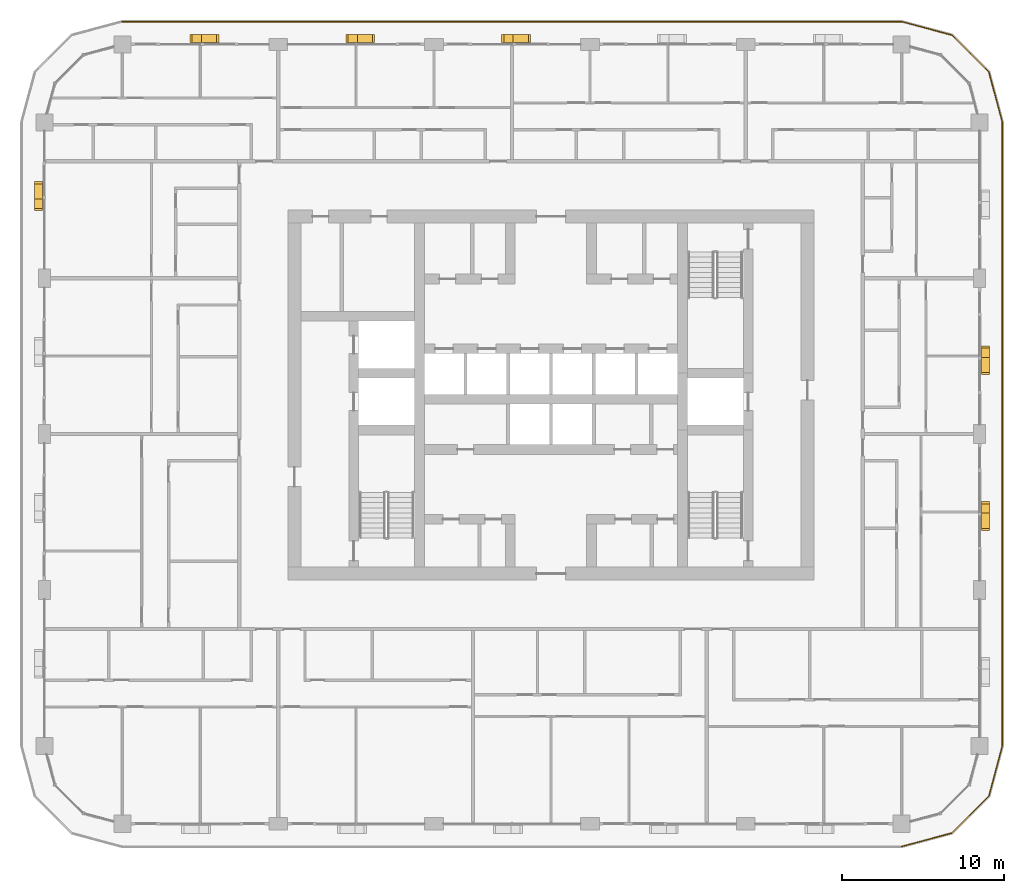
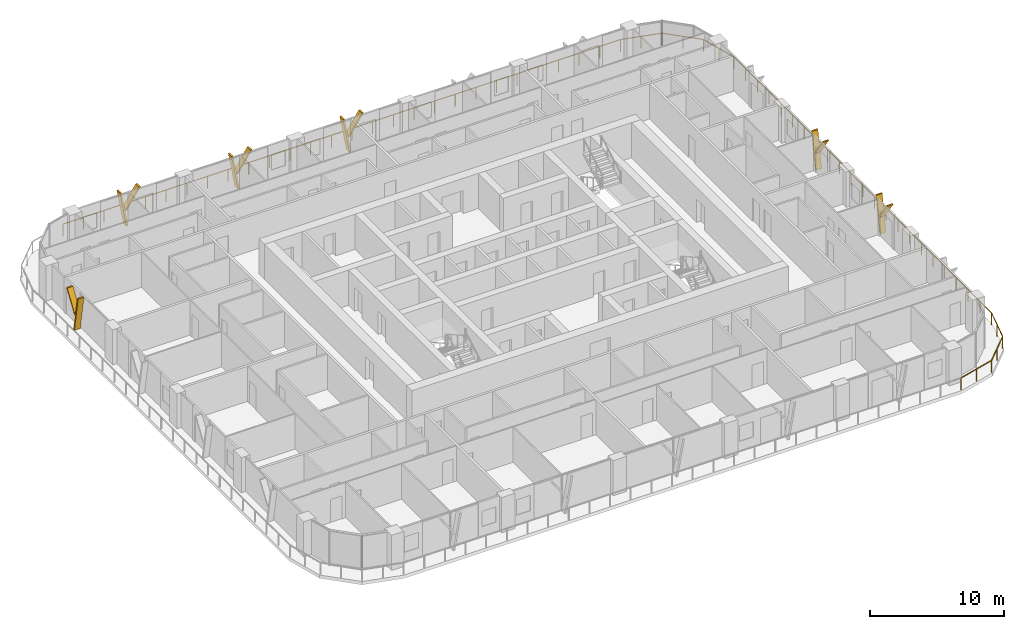
# One storey, part 21 of 22: 12 shading devices, 1 railing.
"""IFC4 building model written with IfcOpenShell, lengths in metres."""

from ifc_helpers import new_model, si_unit, direction, frame, origin, origin_2d, place, context, subcontext, project, spatial, polyline, circle, outline, extrude, material, type_object, element, save


model = new_model("IFC4")

# Units and contexts
model_context = context("Model", 3, precision=1e-05, world=origin(), true_north=direction((0.0, 1.0)))
body_context = subcontext(model_context, "Body", "Model", "MODEL_VIEW")
ifc_project = project(units=[si_unit("LENGTHUNIT", "METRE"), si_unit("AREAUNIT", "SQUARE_METRE"), si_unit("VOLUMEUNIT", "CUBIC_METRE"), si_unit("PLANEANGLEUNIT", "RADIAN"), si_unit("MASSUNIT", "GRAM", prefix="KILO")], contexts=[model_context])

# Site, building, storey
site_placement = place(None, origin())
site = spatial("IfcSite", under=ifc_project, at=site_placement, CompositionType="ELEMENT")
building_placement = place(site_placement, origin())
building = spatial("IfcBuilding", under=site, at=building_placement, Name="Madar Terraces", CompositionType="ELEMENT")
storey_placement = place(building_placement, frame((0.0, 0.0, 149.0)))
storey = spatial("IfcBuildingStorey", under=building, at=storey_placement, Name="L38", CompositionType="ELEMENT", Elevation=149.0)

# Railing
ifc_material_1 = material(Name="Glass, safety glazing, with stainless steel posts", Category="steel")
railing_type = type_object("IfcRailingType", Name="Balcony glass guard 1100", PredefinedType="GUARDRAIL", material=ifc_material_1)
railing_placement = place(storey_placement, frame((52.800048828125, -1.39990234375, 0.0)))
element("IfcRailing", 1, at=railing_placement, inside=storey, type_object=railing_type, Name="Balcony guard", PredefinedType="GUARDRAIL", context=body_context, shape_type="SweptSolid", body=[
    extrude(circle(Radius=0.02392578125, at=origin_2d()), frame((0.0, 0.0, 1.076171875), z_axis=(0.965928696102, 0.258808334578, 0.0), x_axis=(-0.258808334578, 0.965928696102, 0.0)), (0.0, 0.0, 1.0), 3.209228515625),
    extrude(circle(Radius=0.02392578125, at=origin_2d()), frame((3.099853515625, 0.83056640625, 1.076171875), z_axis=(0.707144815061, 0.707068745266, 0.0), x_axis=(-0.707068745266, 0.707144815061, 0.0)), (0.0, 0.0, 1.0), 3.20947265625),
    extrude(circle(Radius=0.02392578125, at=origin_2d()), frame((5.369384765625, 3.099853515625, 1.076171875), z_axis=(0.258789317819, 0.9659337912, 0.0), x_axis=(-0.9659337912, 0.258789317819, 0.0)), (0.0, 0.0, 1.0), 3.20947265625),
    extrude(circle(Radius=0.02392578125, at=origin_2d()), frame((6.199951171875, 6.199951171875, 1.076171875), z_axis=(0.0, 1.0, 0.0), x_axis=(-1.0, 0.0, 0.0)), (0.0, 0.0, 1.0), 38.39990234375),
    extrude(circle(Radius=0.02392578125, at=origin_2d()), frame((6.199951171875, 44.599853515625, 1.076171875), z_axis=(-0.258789317819, 0.9659337912, 0.0), x_axis=(-0.9659337912, -0.258789317819, 0.0)), (0.0, 0.0, 1.0), 3.20947265625),
    extrude(circle(Radius=0.02392578125, at=origin_2d()), frame((5.369384765625, 47.699951171875, 1.076171875), z_axis=(-0.707144815061, 0.707068745266, 0.0), x_axis=(-0.707068745266, -0.707144815061, 0.0)), (0.0, 0.0, 1.0), 3.20947265625),
    extrude(circle(Radius=0.02392578125, at=origin_2d()), frame((3.099853515625, 49.96923828125, 1.076171875), z_axis=(-0.965928696102, 0.258808334578, 0.0), x_axis=(-0.258808334578, -0.965928696102, 0.0)), (0.0, 0.0, 1.0), 3.209228515625),
    extrude(circle(Radius=0.02392578125, at=origin_2d()), frame((0.0, 50.7998046875, 1.076171875), z_axis=(-1.0, 0.0, 0.0), x_axis=(0.0, -1.0, 0.0)), (0.0, 0.0, 1.0), 48.0),
    extrude(circle(Radius=0.02099609375, at=origin_2d()), origin(), (0.0, 0.0, 1.0), 1.052001953125),
    extrude(circle(Radius=0.02099609375, at=origin_2d()), frame((1.5498046875, 0.415283203125, 0.0)), (0.0, 0.0, 1.0), 1.052001953125),
    extrude(circle(Radius=0.02099609375, at=origin_2d()), frame((3.099853515625, 0.83056640625, 0.0)), (0.0, 0.0, 1.0), 1.052001953125),
    extrude(circle(Radius=0.02099609375, at=origin_2d()), frame((4.234619140625, 1.96533203125, 0.0)), (0.0, 0.0, 1.0), 1.052001953125),
    extrude(circle(Radius=0.02099609375, at=origin_2d()), frame((5.369384765625, 3.099853515625, 0.0)), (0.0, 0.0, 1.0), 1.052001953125),
    extrude(circle(Radius=0.02099609375, at=origin_2d()), frame((5.78466796875, 4.64990234375, 0.0)), (0.0, 0.0, 1.0), 1.052001953125),
    extrude(circle(Radius=0.02099609375, at=origin_2d()), frame((6.199951171875, 6.199951171875, 0.0)), (0.0, 0.0, 1.0), 1.052001953125),
    extrude(circle(Radius=0.02099609375, at=origin_2d()), frame((6.199951171875, 7.9453125, 0.0)), (0.0, 0.0, 1.0), 1.052001953125),
    extrude(circle(Radius=0.02099609375, at=origin_2d()), frame((6.199951171875, 9.69091796875, 0.0)), (0.0, 0.0, 1.0), 1.052001953125),
    extrude(circle(Radius=0.02099609375, at=origin_2d()), frame((6.199951171875, 11.436279296875, 0.0)), (0.0, 0.0, 1.0), 1.052001953125),
    extrude(circle(Radius=0.02099609375, at=origin_2d()), frame((6.199951171875, 13.181640625, 0.0)), (0.0, 0.0, 1.0), 1.052001953125),
    extrude(circle(Radius=0.02099609375, at=origin_2d()), frame((6.199951171875, 14.92724609375, 0.0)), (0.0, 0.0, 1.0), 1.052001953125),
    extrude(circle(Radius=0.02099609375, at=origin_2d()), frame((6.199951171875, 16.672607421875, 0.0)), (0.0, 0.0, 1.0), 1.052001953125),
    extrude(circle(Radius=0.02099609375, at=origin_2d()), frame((6.199951171875, 18.418212890625, 0.0)), (0.0, 0.0, 1.0), 1.052001953125),
    extrude(circle(Radius=0.02099609375, at=origin_2d()), frame((6.199951171875, 20.16357421875, 0.0)), (0.0, 0.0, 1.0), 1.052001953125),
    extrude(circle(Radius=0.02099609375, at=origin_2d()), frame((6.199951171875, 21.908935546875, 0.0)), (0.0, 0.0, 1.0), 1.052001953125),
    extrude(circle(Radius=0.02099609375, at=origin_2d()), frame((6.199951171875, 23.654541015625, 0.0)), (0.0, 0.0, 1.0), 1.052001953125),
    extrude(circle(Radius=0.02099609375, at=origin_2d()), frame((6.199951171875, 25.39990234375, 0.0)), (0.0, 0.0, 1.0), 1.052001953125),
    extrude(circle(Radius=0.02099609375, at=origin_2d()), frame((6.199951171875, 27.145263671875, 0.0)), (0.0, 0.0, 1.0), 1.052001953125),
    extrude(circle(Radius=0.02099609375, at=origin_2d()), frame((6.199951171875, 28.890869140625, 0.0)), (0.0, 0.0, 1.0), 1.052001953125),
    extrude(circle(Radius=0.02099609375, at=origin_2d()), frame((6.199951171875, 30.63623046875, 0.0)), (0.0, 0.0, 1.0), 1.052001953125),
    extrude(circle(Radius=0.02099609375, at=origin_2d()), frame((6.199951171875, 32.381591796875, 0.0)), (0.0, 0.0, 1.0), 1.052001953125),
    extrude(circle(Radius=0.02099609375, at=origin_2d()), frame((6.199951171875, 34.127197265625, 0.0)), (0.0, 0.0, 1.0), 1.052001953125),
    extrude(circle(Radius=0.02099609375, at=origin_2d()), frame((6.199951171875, 35.87255859375, 0.0)), (0.0, 0.0, 1.0), 1.052001953125),
    extrude(circle(Radius=0.02099609375, at=origin_2d()), frame((6.199951171875, 37.6181640625, 0.0)), (0.0, 0.0, 1.0), 1.052001953125),
    extrude(circle(Radius=0.02099609375, at=origin_2d()), frame((6.199951171875, 39.363525390625, 0.0)), (0.0, 0.0, 1.0), 1.052001953125),
    extrude(circle(Radius=0.02099609375, at=origin_2d()), frame((6.199951171875, 41.10888671875, 0.0)), (0.0, 0.0, 1.0), 1.052001953125),
    extrude(circle(Radius=0.02099609375, at=origin_2d()), frame((6.199951171875, 42.8544921875, 0.0)), (0.0, 0.0, 1.0), 1.052001953125),
    extrude(circle(Radius=0.02099609375, at=origin_2d()), frame((6.199951171875, 44.599853515625, 0.0)), (0.0, 0.0, 1.0), 1.052001953125),
    extrude(circle(Radius=0.02099609375, at=origin_2d()), frame((5.78466796875, 46.14990234375, 0.0)), (0.0, 0.0, 1.0), 1.052001953125),
    extrude(circle(Radius=0.02099609375, at=origin_2d()), frame((5.369384765625, 47.699951171875, 0.0)), (0.0, 0.0, 1.0), 1.052001953125),
    extrude(circle(Radius=0.02099609375, at=origin_2d()), frame((4.234619140625, 48.83447265625, 0.0)), (0.0, 0.0, 1.0), 1.052001953125),
    extrude(circle(Radius=0.02099609375, at=origin_2d()), frame((3.099853515625, 49.96923828125, 0.0)), (0.0, 0.0, 1.0), 1.052001953125),
    extrude(circle(Radius=0.02099609375, at=origin_2d()), frame((1.5498046875, 50.384521484375, 0.0)), (0.0, 0.0, 1.0), 1.052001953125),
    extrude(circle(Radius=0.02099609375, at=origin_2d()), frame((0.0, 50.7998046875, 0.0)), (0.0, 0.0, 1.0), 1.052001953125),
    extrude(circle(Radius=0.02099609375, at=origin_2d()), frame((-1.77783203125, 50.7998046875, 0.0)), (0.0, 0.0, 1.0), 1.052001953125),
    extrude(circle(Radius=0.02099609375, at=origin_2d()), frame((-3.5556640625, 50.7998046875, 0.0)), (0.0, 0.0, 1.0), 1.052001953125),
    extrude(circle(Radius=0.02099609375, at=origin_2d()), frame((-5.333251953125, 50.7998046875, 0.0)), (0.0, 0.0, 1.0), 1.052001953125),
    extrude(circle(Radius=0.02099609375, at=origin_2d()), frame((-7.111083984375, 50.7998046875, 0.0)), (0.0, 0.0, 1.0), 1.052001953125),
    extrude(circle(Radius=0.02099609375, at=origin_2d()), frame((-8.888916015625, 50.7998046875, 0.0)), (0.0, 0.0, 1.0), 1.052001953125),
    extrude(circle(Radius=0.02099609375, at=origin_2d()), frame((-10.666748046875, 50.7998046875, 0.0)), (0.0, 0.0, 1.0), 1.052001953125),
    extrude(circle(Radius=0.02099609375, at=origin_2d()), frame((-12.4443359375, 50.7998046875, 0.0)), (0.0, 0.0, 1.0), 1.052001953125),
    extrude(circle(Radius=0.02099609375, at=origin_2d()), frame((-14.22216796875, 50.7998046875, 0.0)), (0.0, 0.0, 1.0), 1.052001953125),
    extrude(circle(Radius=0.02099609375, at=origin_2d()), frame((-16.0, 50.7998046875, 0.0)), (0.0, 0.0, 1.0), 1.052001953125),
    extrude(circle(Radius=0.02099609375, at=origin_2d()), frame((-17.77783203125, 50.7998046875, 0.0)), (0.0, 0.0, 1.0), 1.052001953125),
    extrude(circle(Radius=0.02099609375, at=origin_2d()), frame((-19.5556640625, 50.7998046875, 0.0)), (0.0, 0.0, 1.0), 1.052001953125),
    extrude(circle(Radius=0.02099609375, at=origin_2d()), frame((-21.333251953125, 50.7998046875, 0.0)), (0.0, 0.0, 1.0), 1.052001953125),
    extrude(circle(Radius=0.02099609375, at=origin_2d()), frame((-23.111083984375, 50.7998046875, 0.0)), (0.0, 0.0, 1.0), 1.052001953125),
    extrude(circle(Radius=0.02099609375, at=origin_2d()), frame((-24.888916015625, 50.7998046875, 0.0)), (0.0, 0.0, 1.0), 1.052001953125),
    extrude(circle(Radius=0.02099609375, at=origin_2d()), frame((-26.666748046875, 50.7998046875, 0.0)), (0.0, 0.0, 1.0), 1.052001953125),
    extrude(circle(Radius=0.02099609375, at=origin_2d()), frame((-28.4443359375, 50.7998046875, 0.0)), (0.0, 0.0, 1.0), 1.052001953125),
    extrude(circle(Radius=0.02099609375, at=origin_2d()), frame((-30.22216796875, 50.7998046875, 0.0)), (0.0, 0.0, 1.0), 1.052001953125),
    extrude(circle(Radius=0.02099609375, at=origin_2d()), frame((-32.0, 50.7998046875, 0.0)), (0.0, 0.0, 1.0), 1.052001953125),
    extrude(circle(Radius=0.02099609375, at=origin_2d()), frame((-33.77783203125, 50.7998046875, 0.0)), (0.0, 0.0, 1.0), 1.052001953125),
    extrude(circle(Radius=0.02099609375, at=origin_2d()), frame((-35.5556640625, 50.7998046875, 0.0)), (0.0, 0.0, 1.0), 1.052001953125),
    extrude(circle(Radius=0.02099609375, at=origin_2d()), frame((-37.333251953125, 50.7998046875, 0.0)), (0.0, 0.0, 1.0), 1.052001953125),
    extrude(circle(Radius=0.02099609375, at=origin_2d()), frame((-39.111083984375, 50.7998046875, 0.0)), (0.0, 0.0, 1.0), 1.052001953125),
    extrude(circle(Radius=0.02099609375, at=origin_2d()), frame((-40.888916015625, 50.7998046875, 0.0)), (0.0, 0.0, 1.0), 1.052001953125),
    extrude(circle(Radius=0.02099609375, at=origin_2d()), frame((-42.666748046875, 50.7998046875, 0.0)), (0.0, 0.0, 1.0), 1.052001953125),
    extrude(circle(Radius=0.02099609375, at=origin_2d()), frame((-44.4443359375, 50.7998046875, 0.0)), (0.0, 0.0, 1.0), 1.052001953125),
    extrude(circle(Radius=0.02099609375, at=origin_2d()), frame((-46.22216796875, 50.7998046875, 0.0)), (0.0, 0.0, 1.0), 1.052001953125),
    extrude(circle(Radius=0.02099609375, at=origin_2d()), frame((-48.0, 50.7998046875, 0.0)), (0.0, 0.0, 1.0), 1.052001953125),
])

# Shading devices
ifc_material_2 = material(Name="Aluminium, black anodised", Category="aluminium")
shading_device_type = type_object("IfcShadingDeviceType", Name="Facade fin blade 140 x 500", PredefinedType="USERDEFINED", material=ifc_material_2)
shading_device_1_placement = place(storey_placement, frame((57.949951171875, 19.1298828125, 0.0), z_axis=(0.0, 0.0, 1.0), x_axis=(0.0, 1.0, 0.0)))
element("IfcShadingDevice", 2, at=shading_device_1_placement, inside=storey, type_object=shading_device_type, Name="FIN L38 E2", ObjectType="FIN", PredefinedType="USERDEFINED", context=body_context, shape_type="SweptSolid", body=[
    extrude(outline(polyline([(0.0, 0.0), (0.14013671875, 0.0), (0.704345703125, 3.199951171875), (0.564208984375, 3.199951171875), (0.0, 0.0)])), frame((0.0, 0.25, 0.0), z_axis=(0.0, -1.0, 0.0), x_axis=(1.0, 0.0, 0.0)), (0.0, 0.0, 1.0), 0.5),
])
shading_device_2_placement = place(storey_placement, frame((57.949951171875, 19.243896484375, 1.43994140625), z_axis=(0.0, 0.0, 1.0), x_axis=(0.0, 1.0, 0.0)))
element("IfcShadingDevice", 3, at=shading_device_2_placement, inside=storey, type_object=shading_device_type, Name="FIN L38 E2 branch", ObjectType="FIN", PredefinedType="USERDEFINED", context=body_context, shape_type="SweptSolid", body=[
    extrude(outline(polyline([(0.0, 0.0), (0.139892578125, 0.0), (-1.049560546875, 1.760009765625), (-1.189697265625, 1.760009765625), (0.0, 0.0)])), frame((0.0, 0.25, 0.0), z_axis=(0.0, -1.0, 0.0), x_axis=(1.0, 0.0, 0.0)), (0.0, 0.0, 1.0), 0.5),
])
shading_device_3_placement = place(storey_placement, frame((57.949951171875, 28.72998046875, 0.0), z_axis=(0.0, 0.0, 1.0), x_axis=(0.0, 1.0, 0.0)))
element("IfcShadingDevice", 4, at=shading_device_3_placement, inside=storey, type_object=shading_device_type, Name="FIN L38 E3", ObjectType="FIN", PredefinedType="USERDEFINED", context=body_context, shape_type="SweptSolid", body=[
    extrude(outline(polyline([(0.0, 0.0), (0.14013671875, 0.0), (0.704345703125, 3.199951171875), (0.564208984375, 3.199951171875), (0.0, 0.0)])), frame((0.0, 0.25, 0.0), z_axis=(0.0, -1.0, 0.0), x_axis=(1.0, 0.0, 0.0)), (0.0, 0.0, 1.0), 0.5),
])
shading_device_4_placement = place(storey_placement, frame((57.949951171875, 28.843994140625, 1.43994140625), z_axis=(0.0, 0.0, 1.0), x_axis=(0.0, 1.0, 0.0)))
element("IfcShadingDevice", 5, at=shading_device_4_placement, inside=storey, type_object=shading_device_type, Name="FIN L38 E3 branch", ObjectType="FIN", PredefinedType="USERDEFINED", context=body_context, shape_type="SweptSolid", body=[
    extrude(outline(polyline([(0.0, 0.0), (0.139892578125, 0.0), (-1.049560546875, 1.760009765625), (-1.189697265625, 1.760009765625), (0.0, 0.0)])), frame((0.0, 0.25, 0.0), z_axis=(0.0, -1.0, 0.0), x_axis=(1.0, 0.0, 0.0)), (0.0, 0.0, 1.0), 0.5),
])
shading_device_5_placement = place(storey_placement, frame((28.8701171875, 48.35009765625, 0.0), z_axis=(0.0, 0.0, 1.0), x_axis=(-1.0, 0.0, 0.0)))
element("IfcShadingDevice", 6, at=shading_device_5_placement, inside=storey, type_object=shading_device_type, Name="FIN L38 N3", ObjectType="FIN", PredefinedType="USERDEFINED", context=body_context, shape_type="SweptSolid", body=[
    extrude(outline(polyline([(0.0, 0.0), (0.14013671875, 0.0), (0.704345703125, 3.199951171875), (0.564208984375, 3.199951171875), (0.0, 0.0)])), frame((0.0, 0.25, 0.0), z_axis=(0.0, -1.0, 0.0), x_axis=(1.0, 0.0, 0.0)), (0.0, 0.0, 1.0), 0.5),
])
shading_device_6_placement = place(storey_placement, frame((28.756103515625, 48.35009765625, 1.43994140625), z_axis=(0.0, 0.0, 1.0), x_axis=(-1.0, 0.0, 0.0)))
element("IfcShadingDevice", 7, at=shading_device_6_placement, inside=storey, type_object=shading_device_type, Name="FIN L38 N3 branch", ObjectType="FIN", PredefinedType="USERDEFINED", context=body_context, shape_type="SweptSolid", body=[
    extrude(outline(polyline([(0.0, 0.0), (0.139892578125, 0.0), (-1.049560546875, 1.760009765625), (-1.189697265625, 1.760009765625), (0.0, 0.0)])), frame((0.0, 0.25, 0.0), z_axis=(0.0, -1.0, 0.0), x_axis=(1.0, 0.0, 0.0)), (0.0, 0.0, 1.0), 0.5),
])
shading_device_7_placement = place(storey_placement, frame((19.27001953125, 48.35009765625, 0.0), z_axis=(0.0, 0.0, 1.0), x_axis=(-1.0, 0.0, 0.0)))
element("IfcShadingDevice", 8, at=shading_device_7_placement, inside=storey, type_object=shading_device_type, Name="FIN L38 N4", ObjectType="FIN", PredefinedType="USERDEFINED", context=body_context, shape_type="SweptSolid", body=[
    extrude(outline(polyline([(0.0, 0.0), (0.14013671875, 0.0), (0.704345703125, 3.199951171875), (0.564208984375, 3.199951171875), (0.0, 0.0)])), frame((0.0, 0.25, 0.0), z_axis=(0.0, -1.0, 0.0), x_axis=(1.0, 0.0, 0.0)), (0.0, 0.0, 1.0), 0.5),
])
shading_device_8_placement = place(storey_placement, frame((19.156005859375, 48.35009765625, 1.43994140625), z_axis=(0.0, 0.0, 1.0), x_axis=(-1.0, 0.0, 0.0)))
element("IfcShadingDevice", 9, at=shading_device_8_placement, inside=storey, type_object=shading_device_type, Name="FIN L38 N4 branch", ObjectType="FIN", PredefinedType="USERDEFINED", context=body_context, shape_type="SweptSolid", body=[
    extrude(outline(polyline([(0.0, 0.0), (0.139892578125, 0.0), (-1.049560546875, 1.760009765625), (-1.189697265625, 1.760009765625), (0.0, 0.0)])), frame((0.0, 0.25, 0.0), z_axis=(0.0, -1.0, 0.0), x_axis=(1.0, 0.0, 0.0)), (0.0, 0.0, 1.0), 0.5),
])
shading_device_9_placement = place(storey_placement, frame((9.669921875, 48.35009765625, 0.0), z_axis=(0.0, 0.0, 1.0), x_axis=(-1.0, 0.0, 0.0)))
element("IfcShadingDevice", 10, at=shading_device_9_placement, inside=storey, type_object=shading_device_type, Name="FIN L38 N5", ObjectType="FIN", PredefinedType="USERDEFINED", context=body_context, shape_type="SweptSolid", body=[
    extrude(outline(polyline([(0.0, 0.0), (0.139892578125, 0.0), (0.704345703125, 3.199951171875), (0.564208984375, 3.199951171875), (0.0, 0.0)])), frame((0.0, 0.25, 0.0), z_axis=(0.0, -1.0, 0.0), x_axis=(1.0, 0.0, 0.0)), (0.0, 0.0, 1.0), 0.5),
])
shading_device_10_placement = place(storey_placement, frame((9.55615234375, 48.35009765625, 1.43994140625), z_axis=(0.0, 0.0, 1.0), x_axis=(-1.0, 0.0, 0.0)))
element("IfcShadingDevice", 11, at=shading_device_10_placement, inside=storey, type_object=shading_device_type, Name="FIN L38 N5 branch", ObjectType="FIN", PredefinedType="USERDEFINED", context=body_context, shape_type="SweptSolid", body=[
    extrude(outline(polyline([(0.0, 0.0), (0.14013671875, 0.0), (-1.049560546875, 1.760009765625), (-1.189697265625, 1.760009765625), (0.0, 0.0)])), frame((0.0, 0.25, 0.0), z_axis=(0.0, -1.0, 0.0), x_axis=(1.0, 0.0, 0.0)), (0.0, 0.0, 1.0), 0.5),
])
shading_device_11_placement = place(storey_placement, frame((-0.35009765625, 38.469970703125, 0.0), z_axis=(0.0, 0.0, 1.0), x_axis=(0.0, -1.0, 0.0)))
element("IfcShadingDevice", 12, at=shading_device_11_placement, inside=storey, type_object=shading_device_type, Name="FIN L38 W1", ObjectType="FIN", PredefinedType="USERDEFINED", context=body_context, shape_type="SweptSolid", body=[
    extrude(outline(polyline([(0.0, 0.0), (0.139892578125, 0.0), (0.704345703125, 3.199951171875), (0.564208984375, 3.199951171875), (0.0, 0.0)])), frame((0.0, 0.25, 0.0), z_axis=(0.0, -1.0, 0.0), x_axis=(1.0, 0.0, 0.0)), (0.0, 0.0, 1.0), 0.5),
])
shading_device_12_placement = place(storey_placement, frame((-0.35009765625, 38.356201171875, 1.43994140625), z_axis=(0.0, 0.0, 1.0), x_axis=(0.0, -1.0, 0.0)))
element("IfcShadingDevice", 13, at=shading_device_12_placement, inside=storey, type_object=shading_device_type, Name="FIN L38 W1 branch", ObjectType="FIN", PredefinedType="USERDEFINED", context=body_context, shape_type="SweptSolid", body=[
    extrude(outline(polyline([(0.0, 0.0), (0.14013671875, 0.0), (-1.049560546875, 1.760009765625), (-1.189697265625, 1.760009765625), (0.0, 0.0)])), frame((0.0, 0.25, 0.0), z_axis=(0.0, -1.0, 0.0), x_axis=(1.0, 0.0, 0.0)), (0.0, 0.0, 1.0), 0.5),
])

save(model, "model.ifc")
